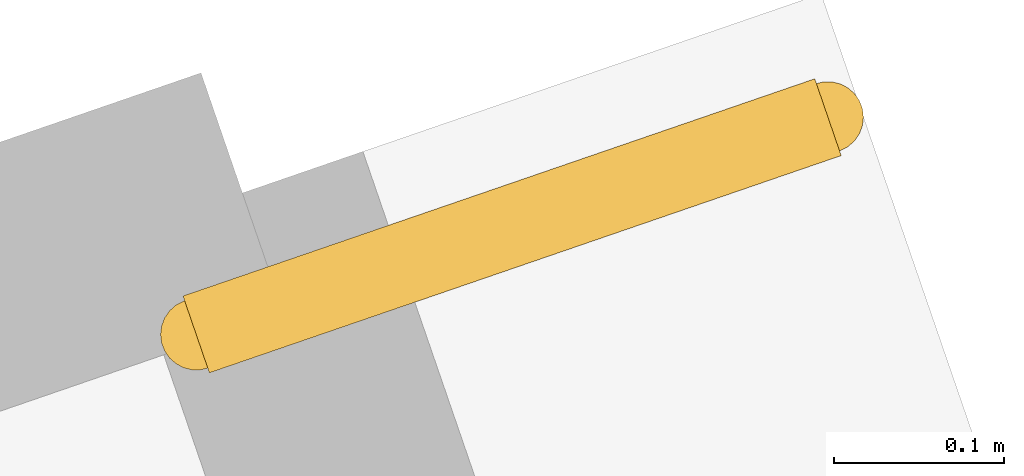
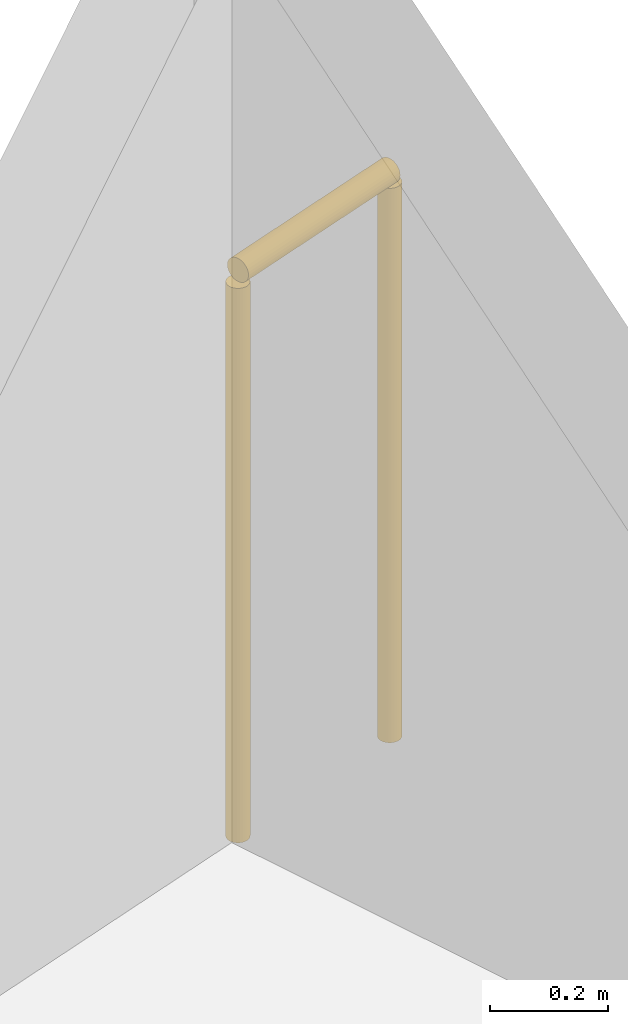
# One storey, part 15 of 15: 1 railing.
"""IFC4 building model written with IfcOpenShell, lengths in metres."""

from ifc_helpers import new_model, si_unit, direction, frame, origin, origin_2d, place, context, subcontext, project, spatial, circle, extrude, material, layer, layer_set, type_object, element, save


model = new_model("IFC4")

# Units and contexts
model_context = context("Model", 3, precision=1e-05, world=origin(), true_north=direction((0.0, 1.0)))
body_context = subcontext(model_context, "Body", "Model", "MODEL_VIEW")
ifc_project = project(units=[si_unit("LENGTHUNIT", "METRE"), si_unit("AREAUNIT", "SQUARE_METRE"), si_unit("VOLUMEUNIT", "CUBIC_METRE"), si_unit("PLANEANGLEUNIT", "RADIAN"), si_unit("MASSUNIT", "GRAM", prefix="KILO")], contexts=[model_context])

# Site, building, storey
site_placement = place(None, origin())
site = spatial("IfcSite", under=ifc_project, at=site_placement, CompositionType="ELEMENT")
building_placement = place(site_placement, origin())
building = spatial("IfcBuilding", under=site, at=building_placement, Name="Gaonmaruhae Medical Tower", CompositionType="ELEMENT")
storey_placement = place(building_placement, frame((0.0, 0.0, 104.39990234375)))
storey = spatial("IfcBuildingStorey", under=building, at=storey_placement, Name="L24", CompositionType="ELEMENT", Elevation=104.39990234375)

# Railing
ifc_material = material(Name="Stainless steel 316L and laminated safety glass", Category="steel")
ifc_layer = layer(ifc_material, 0.080078125)
ifc_layer_set = layer_set([ifc_layer], Name="Stainless steel 316L and laminated safety glass")
railing_type = type_object("IfcRailingType", Name="GD-120 Outdoor Terrace Safety Glass & Steel Balustrade", PredefinedType="BALUSTRADE", material=ifc_layer_set)
railing_placement = place(storey_placement, frame((55.916748046875, 29.977783203125, 0.0)))
element("IfcRailing", 1, at=railing_placement, inside=storey, type_object=railing_type, Name="L24 Perimeter Slab Edge Safety Balustrade 01", PredefinedType="BALUSTRADE", context=body_context, shape_type="SweptSolid", body=[
    extrude(circle(Radius=0.02392578125, at=origin_2d()), frame((0.0, 0.0, 1.17578125), z_axis=(0.945662751696, 0.325149135098, 0.0), x_axis=(-0.325149135098, 0.945662751696, 0.0)), (0.0, 0.0, 1.0), 0.3935546875),
    extrude(circle(Radius=0.02099609375, at=origin_2d()), origin(), (0.0, 0.0, 1.0), 1.15185546875),
    extrude(circle(Radius=0.02099609375, at=origin_2d()), frame((0.3720703125, 0.1279296875, 0.0)), (0.0, 0.0, 1.0), 1.15185546875),
])

save(model, "model.ifc")
